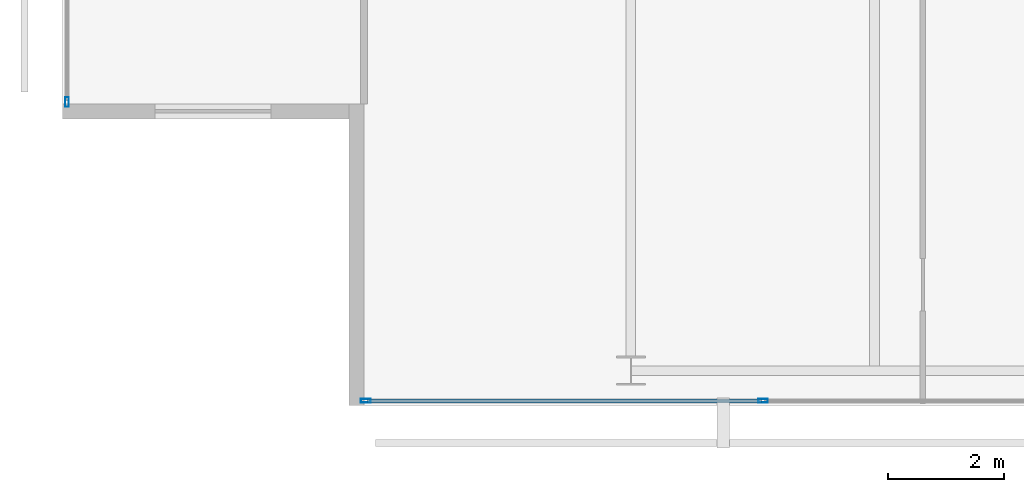
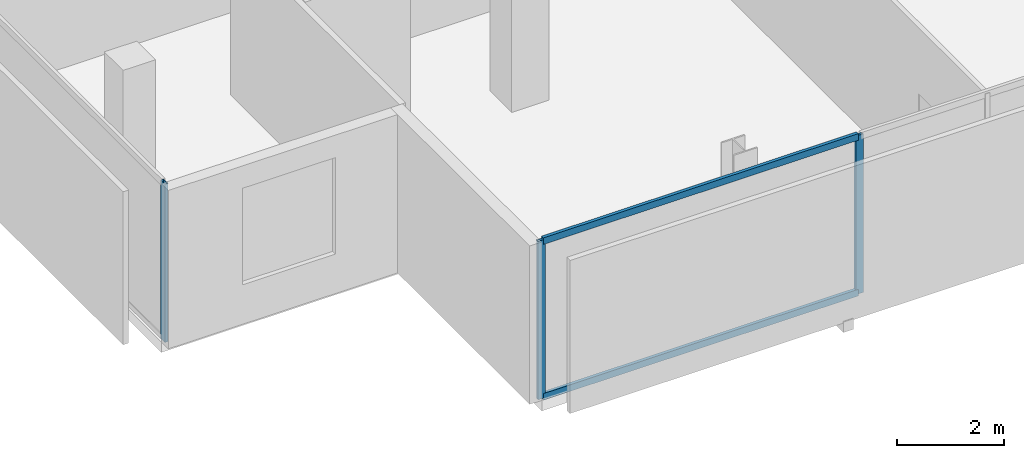
# One storey, part 2 of 25: 5 members, 2 elements without a shape of their own.
"""IFC4 building model written with IfcOpenShell, lengths in metres."""

from ifc_helpers import new_model, si_unit, direction, frame, origin, origin_2d, place, context, subcontext, project, spatial, hollow_rectangle, extrude, material, layer, layer_set, material_profile, profile_set, type_object, element, aggregate, save


model = new_model("IFC4")

# Units and contexts
model_context = context("Model", 3, precision=1e-05, world=origin(), true_north=direction((0.0, 1.0)))
body_context = subcontext(model_context, "Body", "Model", "MODEL_VIEW")
ifc_project = project(units=[si_unit("LENGTHUNIT", "METRE"), si_unit("AREAUNIT", "SQUARE_METRE"), si_unit("VOLUMEUNIT", "CUBIC_METRE"), si_unit("PLANEANGLEUNIT", "RADIAN"), si_unit("MASSUNIT", "GRAM", prefix="KILO")], contexts=[model_context])

# Site, building, storey
site_placement = place(None, origin())
site = spatial("IfcSite", under=ifc_project, at=site_placement, CompositionType="ELEMENT")
building_placement = place(site_placement, origin())
building = spatial("IfcBuilding", under=site, at=building_placement, Name="Maruvema Waterfront Hotel and Observation Tower", CompositionType="ELEMENT")
storey_placement = place(building_placement, frame((0.0, 0.0, 277.89990234375)))
storey = spatial("IfcBuildingStorey", under=building, at=storey_placement, Name="L68", CompositionType="ELEMENT", Elevation=277.89990234375)

# Curtain wall, members
ifc_material_1 = material(Name="Anodised bronze aluminium and solar-control low-E IGU", Category="aluminium")
ifc_layer = layer(ifc_material_1, 0.159912109375, Name="Zone 3 Champagne Inner Thermal Curtain Wall System CW-04")
ifc_layer_set = layer_set([ifc_layer], Name="Anodised bronze aluminium and solar-control low-E IGU")
curtain_wall_type = type_object("IfcCurtainWallType", Name="Zone 3 Champagne Inner Thermal Curtain Wall System CW-04", PredefinedType="USERDEFINED", material=ifc_layer_set)
curtain_wall_1_placement = place(storey_placement, origin())
curtain_wall_1 = element("IfcCurtainWall", 1, at=curtain_wall_1_placement, inside=storey, type_object=curtain_wall_type, Name="L68 Curtain Wall CW-L68-S", ObjectType="UNITISED CURTAIN WALL", PredefinedType="USERDEFINED")
ifc_material_2 = material(Name="Anodised architectural bronze aluminium", Category="aluminium")
ifc_material_profile_1 = material_profile(ifc_material_2, hollow_rectangle(XDim=0.070068359375, YDim=0.14990234375, WallThickness=0.00390625, at=origin_2d()), Name="ALU-T70x150")
ifc_profile_set_1 = profile_set([ifc_material_profile_1], Name="Anodised architectural bronze aluminium")
member_type_1 = type_object("IfcMemberType", Name="Curtain Wall Horizontal Transom ALU-T70x150", PredefinedType="USERDEFINED", material=ifc_profile_set_1)
member_1_placement = place(storey_placement, frame((20.659912109375, 9.280029296875, 0.030029296875), z_axis=(1.0, 0.0, 0.0), x_axis=(0.0, 1.0, 0.0)))
member_1 = element("IfcMember", 2, at=member_1_placement, type_object=member_type_1, Name="CW-04 transom 1.1", ObjectType="TRANSOM", PredefinedType="USERDEFINED", context=body_context, shape_type="SweptSolid", body=[
    extrude(hollow_rectangle(XDim=0.070068359375, YDim=0.14990234375, WallThickness=0.00390625, at=origin_2d()), origin(), (0.0, 0.0, 1.0), 6.7900390625),
])
member_2_placement = place(storey_placement, frame((20.659912109375, 9.280029296875, 3.580078125), z_axis=(1.0, 0.0, 0.0), x_axis=(0.0, 1.0, 0.0)))
member_2 = element("IfcMember", 3, at=member_2_placement, type_object=member_type_1, Name="CW-04 transom 1.2", ObjectType="TRANSOM", PredefinedType="USERDEFINED", context=body_context, shape_type="SweptSolid", body=[
    extrude(hollow_rectangle(XDim=0.070068359375, YDim=0.14990234375, WallThickness=0.00390625, at=origin_2d()), origin(), (0.0, 0.0, 1.0), 6.7900390625),
])
ifc_material_3 = material(Name="Anodised architectural bronze aluminium", Category="aluminium")
ifc_material_profile_2 = material_profile(ifc_material_3, hollow_rectangle(XDim=0.06494140625, YDim=0.1650390625, WallThickness=0.00390625, at=origin_2d()), Name="ALU-M65x165")
ifc_profile_set_2 = profile_set([ifc_material_profile_2], Name="Anodised architectural bronze aluminium")
member_type_2 = type_object("IfcMemberType", Name="Curtain Wall Primary Mullion ALU-M65x165", PredefinedType="MULLION", material=ifc_profile_set_2)
member_3_placement = place(storey_placement, frame((20.6298828125, 9.280029296875, 0.0), z_axis=(0.0, 0.0, 1.0), x_axis=(0.0, 1.0, 0.0)))
member_3 = element("IfcMember", 4, at=member_3_placement, type_object=member_type_2, Name="CW-04 mullion 1", PredefinedType="MULLION", context=body_context, shape_type="SweptSolid", body=[
    extrude(hollow_rectangle(XDim=0.06494140625, YDim=0.1650390625, WallThickness=0.00390625, at=origin_2d()), origin(), (0.0, 0.0, 1.0), 3.610107421875),
])
member_4_placement = place(storey_placement, frame((27.47998046875, 9.280029296875, 0.0), z_axis=(0.0, 0.0, 1.0), x_axis=(0.0, 1.0, 0.0)))
member_4 = element("IfcMember", 5, at=member_4_placement, type_object=member_type_2, Name="CW-04 mullion 2", PredefinedType="MULLION", context=body_context, shape_type="SweptSolid", body=[
    extrude(hollow_rectangle(XDim=0.06494140625, YDim=0.1650390625, WallThickness=0.00390625, at=origin_2d()), origin(), (0.0, 0.0, 1.0), 3.610107421875),
])
aggregate(curtain_wall_1, [member_3, member_4, member_1, member_2])

# Curtain wall, member
curtain_wall_2_placement = place(storey_placement, origin())
curtain_wall_2 = element("IfcCurtainWall", 6, at=curtain_wall_2_placement, inside=storey, type_object=curtain_wall_type, Name="L68 Curtain Wall CW-L68-W", ObjectType="UNITISED CURTAIN WALL", PredefinedType="USERDEFINED")
member_5_placement = place(storey_placement, frame((15.47998046875, 14.429931640625, 0.0), z_axis=(0.0, 0.0, 1.0), x_axis=(1.0, 0.0, 0.0)))
member_5 = element("IfcMember", 7, at=member_5_placement, type_object=member_type_2, Name="CW-04 mullion 6", PredefinedType="MULLION", context=body_context, shape_type="SweptSolid", body=[
    extrude(hollow_rectangle(XDim=0.06494140625, YDim=0.1650390625, WallThickness=0.00390625, at=origin_2d()), origin(), (0.0, 0.0, 1.0), 3.610107421875),
])
aggregate(curtain_wall_2, [member_5])

save(model, "model.ifc")
